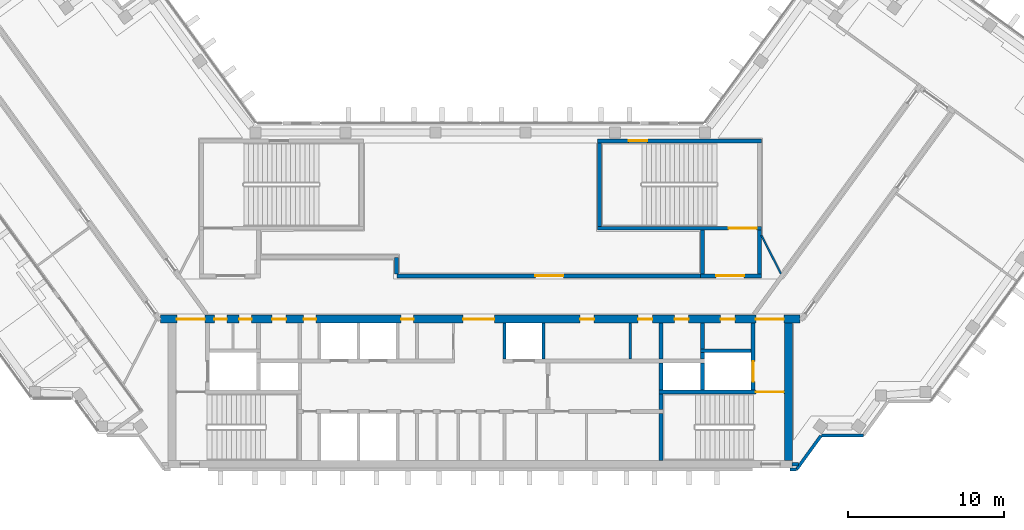
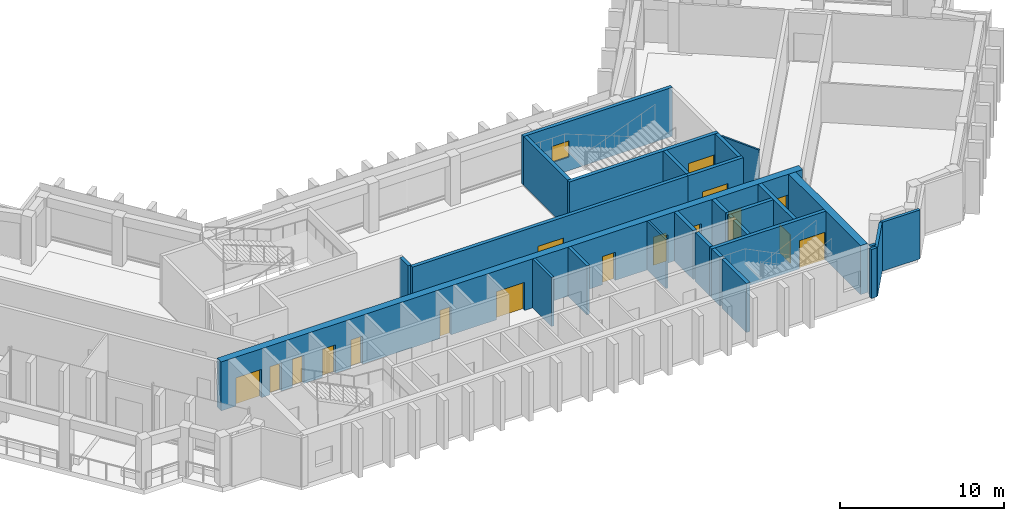
# One storey, part 7 of 10: 28 walls, 17 doors, 1 window, 18 openings.
"""IFC4 building model written with IfcOpenShell, lengths in metres."""

from ifc_helpers import new_model, si_unit, direction, frame, frame_2d, origin, place, context, subcontext, project, spatial, rectangle, extrude, material, layer, layer_set, type_object, element, fill, save


model = new_model("IFC4")

# Units and contexts
model_context = context("Model", 3, precision=1e-05, world=origin(), true_north=direction((0.0, 1.0)))
body_context = subcontext(model_context, "Body", "Model", "MODEL_VIEW")
ifc_project = project(units=[si_unit("LENGTHUNIT", "METRE"), si_unit("AREAUNIT", "SQUARE_METRE"), si_unit("VOLUMEUNIT", "CUBIC_METRE"), si_unit("PLANEANGLEUNIT", "RADIAN"), si_unit("MASSUNIT", "GRAM", prefix="KILO")], contexts=[model_context])

# Site, building, storey
site_placement = place(None, origin())
site = spatial("IfcSite", under=ifc_project, at=site_placement, CompositionType="ELEMENT")
building_placement = place(site_placement, origin())
building = spatial("IfcBuilding", under=site, at=building_placement, Name="Quipu Civic Tower", CompositionType="ELEMENT")
storey_placement = place(building_placement, frame((0.0, 0.0, 265.0)))
storey = spatial("IfcBuildingStorey", under=building, at=storey_placement, Name="L62", CompositionType="ELEMENT", Elevation=265.0)

# Walls
ifc_material_1 = material(Name="Concrete C70/85", Category="concrete")
ifc_layer_1 = layer(ifc_material_1, 0.25)
ifc_layer_set_1 = layer_set([ifc_layer_1], Name="Concrete C70/85")
wall_type_1 = type_object("IfcWallType", Name="Core wall 250", PredefinedType="SHEAR", material=ifc_layer_set_1)
wall_1_placement = place(storey_placement, frame((11.574951171875, -10.5, 0.0), z_axis=(0.0, 0.0, 1.0), x_axis=(0.0, 1.0, 0.0)))
element("IfcWall", 1, at=wall_1_placement, inside=storey, type_object=wall_type_1, Name="Core wall", PredefinedType="SHEAR", context=body_context, shape_type="SweptSolid", body=[
    extrude(rectangle(XDim=3.0, YDim=0.25, at=frame_2d((1.5, 0.0))), origin(), (0.0, 0.0, 1.0), 3.64990234375),
])
wall_2_placement = place(storey_placement, frame((11.574951171875, -7.25, 0.0), z_axis=(0.0, 0.0, 1.0), x_axis=(0.0, 1.0, 0.0)))
element("IfcWall", 2, at=wall_2_placement, inside=storey, type_object=wall_type_1, Name="Core wall", PredefinedType="SHEAR", context=body_context, shape_type="SweptSolid", body=[
    extrude(rectangle(XDim=1.0, YDim=0.25, at=frame_2d((0.5, 0.0))), origin(), (0.0, 0.0, 1.0), 3.64990234375),
])

# Wall, opening, door
wall_3_placement = place(storey_placement, frame((19.5, -6.125, 0.0), z_axis=(0.0, 0.0, 1.0), x_axis=(-1.0, 0.0, 0.0)))
wall_3 = element("IfcWall", 3, at=wall_3_placement, inside=storey, type_object=wall_type_1, Name="Core wall", PredefinedType="SHEAR", context=body_context, shape_type="SweptSolid", body=[
    extrude(rectangle(XDim=8.050048828125, YDim=0.25, at=frame_2d((4.02490234375, 0.0))), origin(), (0.0, 0.0, 1.0), 3.64990234375),
])
opening_1_placement = place(wall_3_placement, frame((0.050048828125, 0.0, 0.0)))
opening_1 = element("IfcOpeningElement", 4, at=opening_1_placement, cuts=wall_3, Name="Opening CD-11", PredefinedType="OPENING", context=body_context, shape_type="SweptSolid", body=[
    extrude(rectangle(XDim=1.800048828125, YDim=2.10009765625, at=frame_2d((0.89990234375, 1.050048828125))), frame((0.0, 0.135009765625, 0.0), z_axis=(0.0, -1.0, 0.0), x_axis=(1.0, 0.0, 0.0)), (0.0, 0.0, 1.0), 0.27001953125),
])
ifc_material_2 = material(Name="Fire rated steel door", Category="steel")
door_type_1 = type_object("IfcDoorType", Name="Fire door FD90 double 1800 x 2100", OperationType="NOTDEFINED", PredefinedType="DOOR", material=ifc_material_2)
door_1_placement = place(opening_1_placement, origin())
door_1 = element("IfcDoor", 5, at=door_1_placement, inside=storey, type_object=door_type_1, Name="Door", OperationType="DOUBLE_DOOR_SINGLE_SWING", OverallHeight=2.10009765625, OverallWidth=1.800048828125, PredefinedType="DOOR", context=body_context, shape_type="SweptSolid", body=[
    extrude(rectangle(XDim=1.800048828125, YDim=2.10009765625, at=frame_2d((0.89990234375, 1.050048828125))), frame((0.0, 0.02490234375, 0.0), z_axis=(0.0, -1.0, 0.0), x_axis=(1.0, 0.0, 0.0)), (0.0, 0.0, 1.0), 0.050048828125),
])
fill(opening_1, door_1)

# Walls
for number, where, z_axis, x_axis, name in (
    (6, (11.574951171875, -6.0, 0.0), (0.0, 0.0, 1.0), (0.0, 1.0, 0.0), "Core wall"),
    (7, (14.22509765625, -6.0, 0.0), (0.0, 0.0, 1.0), (0.0, 1.0, 0.0), "Core wall"),
):
    element("IfcWall", number, at=place(storey_placement, frame(where, z_axis=z_axis, x_axis=x_axis)), inside=storey, type_object=wall_type_1, Name=name, PredefinedType="SHEAR", context=body_context, shape_type="SweptSolid", body=[
        extrude(rectangle(XDim=1.75, YDim=0.25, at=frame_2d((0.875, 0.0))), origin(), (0.0, 0.0, 1.0), 3.64990234375),
    ])

# Wall, opening, door
wall_4_placement = place(storey_placement, frame((17.47509765625, -6.0, 0.0), z_axis=(0.0, 0.0, 1.0), x_axis=(0.0, 1.0, 0.0)))
wall_4 = element("IfcWall", 8, at=wall_4_placement, inside=storey, type_object=wall_type_1, Name="Core wall", PredefinedType="SHEAR", context=body_context, shape_type="SweptSolid", body=[
    extrude(rectangle(XDim=4.300048828125, YDim=0.25, at=frame_2d((2.14990234375, 0.0))), origin(), (0.0, 0.0, 1.0), 3.64990234375),
])
opening_2_placement = place(wall_4_placement, frame((0.550048828125, 0.0, 0.0)))
opening_2 = element("IfcOpeningElement", 9, at=opening_2_placement, cuts=wall_4, Name="Opening LD-FF2", PredefinedType="OPENING", context=body_context, shape_type="SweptSolid", body=[
    extrude(rectangle(XDim=1.300048828125, YDim=2.10009765625, at=frame_2d((0.64990234375, 1.050048828125))), frame((0.0, 0.135009765625, 0.0), z_axis=(0.0, -1.0, 0.0), x_axis=(1.0, 0.0, 0.0)), (0.0, 0.0, 1.0), 0.27001953125),
])
ifc_material_3 = material(Name="Stainless steel", Category="steel")
door_type_2 = type_object("IfcDoorType", Name="Lift landing door 1300 x 2100", OperationType="DOUBLE_DOOR_SLIDING", PredefinedType="DOOR", material=ifc_material_3)
door_2_placement = place(opening_2_placement, origin())
door_2 = element("IfcDoor", 10, at=door_2_placement, inside=storey, type_object=door_type_2, Name="Landing door FF2", OperationType="DOUBLE_DOOR_SLIDING", OverallHeight=2.10009765625, OverallWidth=1.300048828125, PredefinedType="DOOR", context=body_context, shape_type="SweptSolid", body=[
    extrude(rectangle(XDim=1.300048828125, YDim=2.10009765625, at=frame_2d((0.64990234375, 1.050048828125))), frame((0.0, 0.02490234375, 0.0), z_axis=(0.0, -1.0, 0.0), x_axis=(1.0, 0.0, 0.0)), (0.0, 0.0, 1.0), 0.050048828125),
])
fill(opening_2, door_2)

# Walls
wall_5_placement = place(storey_placement, frame((11.574951171875, -4.0, 0.0), z_axis=(0.0, 0.0, 1.0), x_axis=(0.0, 1.0, 0.0)))
element("IfcWall", 11, at=wall_5_placement, inside=storey, type_object=wall_type_1, Name="Core wall", PredefinedType="SHEAR", context=body_context, shape_type="SweptSolid", body=[
    extrude(rectangle(XDim=2.300048828125, YDim=0.25, at=frame_2d((1.14990234375, 0.0))), origin(), (0.0, 0.0, 1.0), 3.64990234375),
])
wall_6_placement = place(storey_placement, frame((14.22509765625, -4.0, 0.0), z_axis=(0.0, 0.0, 1.0), x_axis=(0.0, 1.0, 0.0)))
element("IfcWall", 12, at=wall_6_placement, inside=storey, type_object=wall_type_1, Name="Core wall", PredefinedType="SHEAR", context=body_context, shape_type="SweptSolid", body=[
    extrude(rectangle(XDim=0.39990234375, YDim=0.25, at=frame_2d((0.199951171875, 0.0))), origin(), (0.0, 0.0, 1.0), 3.64990234375),
])
wall_7_placement = place(storey_placement, frame((14.10009765625, -3.47509765625, 0.0), z_axis=(0.0, 0.0, 1.0), x_axis=(1.0, 0.0, 0.0)))
element("IfcWall", 13, at=wall_7_placement, inside=storey, type_object=wall_type_1, Name="Core wall", PredefinedType="SHEAR", context=body_context, shape_type="SweptSolid", body=[
    extrude(rectangle(XDim=3.25, YDim=0.25, at=frame_2d((1.625, 0.0))), origin(), (0.0, 0.0, 1.0), 3.64990234375),
])
wall_8_placement = place(storey_placement, frame((14.22509765625, -3.35009765625, 0.0), z_axis=(0.0, 0.0, 1.0), x_axis=(0.0, 1.0, 0.0)))
element("IfcWall", 14, at=wall_8_placement, inside=storey, type_object=wall_type_1, Name="Core wall", PredefinedType="SHEAR", context=body_context, shape_type="SweptSolid", body=[
    extrude(rectangle(XDim=1.650146484375, YDim=0.25, at=frame_2d((0.8251953125, 0.0))), origin(), (0.0, 0.0, 1.0), 3.64990234375),
])

# Wall, opening, door
wall_9_placement = place(storey_placement, frame((14.10009765625, 1.324951171875, 0.0), z_axis=(0.0, 0.0, 1.0), x_axis=(1.0, 0.0, 0.0)))
wall_9 = element("IfcWall", 15, at=wall_9_placement, inside=storey, type_object=wall_type_1, Name="Core wall", PredefinedType="SHEAR", context=body_context, shape_type="SweptSolid", body=[
    extrude(rectangle(XDim=3.89990234375, YDim=0.25, at=frame_2d((1.949951171875, 0.0))), origin(), (0.0, 0.0, 1.0), 3.64990234375),
])
opening_3_placement = place(wall_9_placement, frame((1.0, 0.0, 0.0)))
opening_3 = element("IfcOpeningElement", 16, at=opening_3_placement, cuts=wall_9, Name="Opening CD-28", PredefinedType="OPENING", context=body_context, shape_type="SweptSolid", body=[
    extrude(rectangle(XDim=1.800048828125, YDim=2.10009765625, at=frame_2d((0.89990234375, 1.050048828125))), frame((0.0, 0.135009765625, 0.0), z_axis=(0.0, -1.0, 0.0), x_axis=(1.0, 0.0, 0.0)), (0.0, 0.0, 1.0), 0.27001953125),
])
door_3_placement = place(opening_3_placement, origin())
door_3 = element("IfcDoor", 17, at=door_3_placement, inside=storey, type_object=door_type_1, Name="Lobby door", OperationType="DOUBLE_DOOR_SINGLE_SWING", OverallHeight=2.10009765625, OverallWidth=1.800048828125, PredefinedType="DOOR", context=body_context, shape_type="SweptSolid", body=[
    extrude(rectangle(XDim=1.800048828125, YDim=2.10009765625, at=frame_2d((0.89990234375, 1.050048828125))), frame((0.0, 0.02490234375, 0.0), z_axis=(0.0, -1.0, 0.0), x_axis=(1.0, 0.0, 0.0)), (0.0, 0.0, 1.0), 0.050048828125),
])
fill(opening_3, door_3)

# Walls
for number, where, z_axis, x_axis, name in (
    (18, (14.22509765625, 1.449951171875, 0.0), (0.0, 0.0, 1.0), (0.0, 1.0, 0.0), "Core wall"),
    (19, (17.875, 1.449951171875, 0.0), (0.0, 0.0, 1.0), (0.0, 1.0, 0.0), "Core wall"),
):
    element("IfcWall", number, at=place(storey_placement, frame(where, z_axis=z_axis, x_axis=x_axis)), inside=storey, type_object=wall_type_1, Name=name, PredefinedType="SHEAR", context=body_context, shape_type="SweptSolid", body=[
        extrude(rectangle(XDim=2.800048828125, YDim=0.25, at=frame_2d((1.39990234375, 0.0))), origin(), (0.0, 0.0, 1.0), 3.64990234375),
    ])

# Wall, opening, door
wall_10_placement = place(storey_placement, frame((7.5, 4.375, 0.0), z_axis=(0.0, 0.0, 1.0), x_axis=(1.0, 0.0, 0.0)))
wall_10 = element("IfcWall", 20, at=wall_10_placement, inside=storey, type_object=wall_type_1, Name="Core wall", PredefinedType="SHEAR", context=body_context, shape_type="SweptSolid", body=[
    extrude(rectangle(XDim=10.5, YDim=0.25, at=frame_2d((5.25, 0.0))), origin(), (0.0, 0.0, 1.0), 3.64990234375),
])
opening_4_placement = place(wall_10_placement, frame((8.39990234375, 0.0, 0.0)))
opening_4 = element("IfcOpeningElement", 21, at=opening_4_placement, cuts=wall_10, Name="Opening CD-29", PredefinedType="OPENING", context=body_context, shape_type="SweptSolid", body=[
    extrude(rectangle(XDim=1.800048828125, YDim=2.10009765625, at=frame_2d((0.89990234375, 1.050048828125))), frame((0.0, 0.135009765625, 0.0), z_axis=(0.0, -1.0, 0.0), x_axis=(1.0, 0.0, 0.0)), (0.0, 0.0, 1.0), 0.27001953125),
])
door_4_placement = place(opening_4_placement, origin())
door_4 = element("IfcDoor", 22, at=door_4_placement, inside=storey, type_object=door_type_1, Name="Door", OperationType="DOUBLE_DOOR_SINGLE_SWING", OverallHeight=2.10009765625, OverallWidth=1.800048828125, PredefinedType="DOOR", context=body_context, shape_type="SweptSolid", body=[
    extrude(rectangle(XDim=1.800048828125, YDim=2.10009765625, at=frame_2d((0.89990234375, 1.050048828125))), frame((0.0, 0.02490234375, 0.0), z_axis=(0.0, -1.0, 0.0), x_axis=(1.0, 0.0, 0.0)), (0.0, 0.0, 1.0), 0.050048828125),
])
fill(opening_4, door_4)

# Wall
wall_11_placement = place(storey_placement, frame((7.625, 4.5, 0.0), z_axis=(0.0, 0.0, 1.0), x_axis=(0.0, 1.0, 0.0)))
element("IfcWall", 23, at=wall_11_placement, inside=storey, type_object=wall_type_1, Name="Core wall", PredefinedType="SHEAR", context=body_context, shape_type="SweptSolid", body=[
    extrude(rectangle(XDim=5.35009765625, YDim=0.25, at=frame_2d((2.675048828125, 0.0))), origin(), (0.0, 0.0, 1.0), 3.64990234375),
])

# Wall, opening, window
wall_12_placement = place(storey_placement, frame((7.5, 9.97509765625, 0.0), z_axis=(0.0, 0.0, 1.0), x_axis=(1.0, 0.0, 0.0)))
wall_12 = element("IfcWall", 24, at=wall_12_placement, inside=storey, type_object=wall_type_1, Name="Core wall", PredefinedType="SHEAR", context=body_context, shape_type="SweptSolid", body=[
    extrude(rectangle(XDim=10.5, YDim=0.25, at=frame_2d((5.25, 0.0))), origin(), (0.0, 0.0, 1.0), 3.64990234375),
])
opening_5_placement = place(wall_12_placement, frame((2.0, 0.0, 1.0)))
opening_5 = element("IfcOpeningElement", 25, at=opening_5_placement, cuts=wall_12, Name="Opening SV-4", PredefinedType="OPENING", context=body_context, shape_type="SweptSolid", body=[
    extrude(rectangle(XDim=1.199951171875, YDim=1.199951171875, at=frame_2d((0.60009765625, 0.60009765625))), frame((0.0, 0.135009765625, 0.0), z_axis=(0.0, -1.0, 0.0), x_axis=(1.0, 0.0, 0.0)), (0.0, 0.0, 1.0), 0.27001953125),
])
ifc_material_4 = material(Name="Aluminium louvre", Category="aluminium")
window_type = type_object("IfcWindowType", Name="Stair ventilation louvre 1200 x 1200", PartitioningType="SINGLE_PANEL", PredefinedType="WINDOW", material=ifc_material_4)
window_placement = place(opening_5_placement, origin())
window = element("IfcWindow", 26, at=window_placement, inside=storey, type_object=window_type, Name="Stair ventilation opening", OverallHeight=1.199951171875, OverallWidth=1.199951171875, PartitioningType="SINGLE_PANEL", PredefinedType="WINDOW", context=body_context, shape_type="SweptSolid", body=[
    extrude(rectangle(XDim=1.199951171875, YDim=1.199951171875, at=frame_2d((0.60009765625, 0.60009765625))), frame((0.0, 0.030029296875, 0.0), z_axis=(0.0, -1.0, 0.0), x_axis=(1.0, 0.0, 0.0)), (0.0, 0.0, 1.0), 0.06005859375),
])
fill(opening_5, window)

# Wall
ifc_material_5 = material(Name="Concrete C70/85", Category="concrete")
ifc_layer_2 = layer(ifc_material_5, 0.5)
ifc_layer_set_2 = layer_set([ifc_layer_2], Name="Concrete C70/85")
wall_type_2 = type_object("IfcWallType", Name="Core wall 500", PredefinedType="SHEAR", material=ifc_layer_set_2)
wall_13_placement = place(storey_placement, frame((19.75, -10.5, 0.0), z_axis=(0.0, 0.0, 1.0), x_axis=(0.0, 1.0, 0.0)))
element("IfcWall", 27, at=wall_13_placement, inside=storey, type_object=wall_type_2, Name="Core wall", PredefinedType="SHEAR", context=body_context, shape_type="SweptSolid", body=[
    extrude(rectangle(XDim=8.800048828125, YDim=0.5, at=frame_2d((4.39990234375, 0.0))), origin(), (0.0, 0.0, 1.0), 3.64990234375),
])

# Wall, openings, doors
wall_14_placement = place(storey_placement, frame((20.489990234375, -1.449951171875, 0.0), z_axis=(0.0, 0.0, 1.0), x_axis=(-1.0, 0.0, 0.0)))
wall_14 = element("IfcWall", 28, at=wall_14_placement, inside=storey, type_object=wall_type_2, Name="Core wall", PredefinedType="SHEAR", context=body_context, shape_type="SweptSolid", body=[
    extrude(rectangle(XDim=40.97998046875, YDim=0.5, at=frame_2d((20.489990234375, 0.0))), origin(), (0.0, 0.0, 1.0), 3.64990234375),
])
opening_6_placement = place(wall_14_placement, frame((38.139892578125, 0.0, 0.0)))
opening_6 = element("IfcOpeningElement", 29, at=opening_6_placement, cuts=wall_14, Name="Opening CD-14", PredefinedType="OPENING", context=body_context, shape_type="SweptSolid", body=[
    extrude(rectangle(XDim=1.800048828125, YDim=2.10009765625, at=frame_2d((0.89990234375, 1.050048828125))), frame((0.0, 0.260009765625, 0.0), z_axis=(0.0, -1.0, 0.0), x_axis=(1.0, 0.0, 0.0)), (0.0, 0.0, 1.0), 0.52001953125),
])
opening_7_placement = place(wall_14_placement, frame((36.7275390625, 0.0, 0.0)))
opening_7 = element("IfcOpeningElement", 30, at=opening_7_placement, cuts=wall_14, Name="Opening CD-15", PredefinedType="OPENING", context=body_context, shape_type="SweptSolid", body=[
    extrude(rectangle(XDim=0.800048828125, YDim=2.10009765625, at=frame_2d((0.39990234375, 1.050048828125))), frame((0.0, 0.260009765625, 0.0), z_axis=(0.0, -1.0, 0.0), x_axis=(1.0, 0.0, 0.0)), (0.0, 0.0, 1.0), 0.52001953125),
])
opening_8_placement = place(wall_14_placement, frame((35.152587890625, 0.0, 0.0)))
opening_8 = element("IfcOpeningElement", 31, at=opening_8_placement, cuts=wall_14, Name="Opening CD-16", PredefinedType="OPENING", context=body_context, shape_type="SweptSolid", body=[
    extrude(rectangle(XDim=0.800048828125, YDim=2.10009765625, at=frame_2d((0.39990234375, 1.050048828125))), frame((0.0, 0.260009765625, 0.0), z_axis=(0.0, -1.0, 0.0), x_axis=(1.0, 0.0, 0.0)), (0.0, 0.0, 1.0), 0.52001953125),
])
opening_9_placement = place(wall_14_placement, frame((32.93994140625, 0.0, 0.0)))
opening_9 = element("IfcOpeningElement", 32, at=opening_9_placement, cuts=wall_14, Name="Opening CD-17", PredefinedType="OPENING", context=body_context, shape_type="SweptSolid", body=[
    extrude(rectangle(XDim=0.89990234375, YDim=2.10009765625, at=frame_2d((0.449951171875, 1.050048828125))), frame((0.0, 0.260009765625, 0.0), z_axis=(0.0, -1.0, 0.0), x_axis=(1.0, 0.0, 0.0)), (0.0, 0.0, 1.0), 0.52001953125),
])
opening_10_placement = place(wall_14_placement, frame((31.014892578125, 0.0, 0.0)))
opening_10 = element("IfcOpeningElement", 33, at=opening_10_placement, cuts=wall_14, Name="Opening CD-18", PredefinedType="OPENING", context=body_context, shape_type="SweptSolid", body=[
    extrude(rectangle(XDim=0.800048828125, YDim=2.10009765625, at=frame_2d((0.39990234375, 1.050048828125))), frame((0.0, 0.260009765625, 0.0), z_axis=(0.0, -1.0, 0.0), x_axis=(1.0, 0.0, 0.0)), (0.0, 0.0, 1.0), 0.52001953125),
])
opening_11_placement = place(wall_14_placement, frame((24.764892578125, 0.0, 0.0)))
opening_11 = element("IfcOpeningElement", 34, at=opening_11_placement, cuts=wall_14, Name="Opening CD-19", PredefinedType="OPENING", context=body_context, shape_type="SweptSolid", body=[
    extrude(rectangle(XDim=0.800048828125, YDim=2.10009765625, at=frame_2d((0.39990234375, 1.050048828125))), frame((0.0, 0.260009765625, 0.0), z_axis=(0.0, -1.0, 0.0), x_axis=(1.0, 0.0, 0.0)), (0.0, 0.0, 1.0), 0.52001953125),
])
opening_12_placement = place(wall_14_placement, frame((19.590087890625, 0.0, 0.0)))
opening_12 = element("IfcOpeningElement", 35, at=opening_12_placement, cuts=wall_14, Name="Opening CD-20", PredefinedType="OPENING", context=body_context, shape_type="SweptSolid", body=[
    extrude(rectangle(XDim=2.0, YDim=2.10009765625, at=frame_2d((1.0, 1.050048828125))), frame((0.0, 0.260009765625, 0.0), z_axis=(0.0, -1.0, 0.0), x_axis=(1.0, 0.0, 0.0)), (0.0, 0.0, 1.0), 0.52001953125),
])
opening_13_placement = place(wall_14_placement, frame((13.202392578125, 0.0, 0.0)))
opening_13 = element("IfcOpeningElement", 36, at=opening_13_placement, cuts=wall_14, Name="Opening CD-21", PredefinedType="OPENING", context=body_context, shape_type="SweptSolid", body=[
    extrude(rectangle(XDim=0.89990234375, YDim=2.10009765625, at=frame_2d((0.449951171875, 1.050048828125))), frame((0.0, 0.260009765625, 0.0), z_axis=(0.0, -1.0, 0.0), x_axis=(1.0, 0.0, 0.0)), (0.0, 0.0, 1.0), 0.52001953125),
])
opening_14_placement = place(wall_14_placement, frame((9.4775390625, 0.0, 0.0)))
opening_14 = element("IfcOpeningElement", 37, at=opening_14_placement, cuts=wall_14, Name="Opening CD-22", PredefinedType="OPENING", context=body_context, shape_type="SweptSolid", body=[
    extrude(rectangle(XDim=0.89990234375, YDim=2.10009765625, at=frame_2d((0.449951171875, 1.050048828125))), frame((0.0, 0.260009765625, 0.0), z_axis=(0.0, -1.0, 0.0), x_axis=(1.0, 0.0, 0.0)), (0.0, 0.0, 1.0), 0.52001953125),
])
opening_15_placement = place(wall_14_placement, frame((7.139892578125, 0.0, 0.0)))
opening_15 = element("IfcOpeningElement", 38, at=opening_15_placement, cuts=wall_14, Name="Opening CD-23", PredefinedType="OPENING", context=body_context, shape_type="SweptSolid", body=[
    extrude(rectangle(XDim=0.89990234375, YDim=2.10009765625, at=frame_2d((0.449951171875, 1.050048828125))), frame((0.0, 0.260009765625, 0.0), z_axis=(0.0, -1.0, 0.0), x_axis=(1.0, 0.0, 0.0)), (0.0, 0.0, 1.0), 0.52001953125),
])
opening_16_placement = place(wall_14_placement, frame((4.18994140625, 0.0, 0.0)))
opening_16 = element("IfcOpeningElement", 39, at=opening_16_placement, cuts=wall_14, Name="Opening CD-24", PredefinedType="OPENING", context=body_context, shape_type="SweptSolid", body=[
    extrude(rectangle(XDim=0.89990234375, YDim=2.10009765625, at=frame_2d((0.449951171875, 1.050048828125))), frame((0.0, 0.260009765625, 0.0), z_axis=(0.0, -1.0, 0.0), x_axis=(1.0, 0.0, 0.0)), (0.0, 0.0, 1.0), 0.52001953125),
])
opening_17_placement = place(wall_14_placement, frame((1.0400390625, 0.0, 0.0)))
opening_17 = element("IfcOpeningElement", 40, at=opening_17_placement, cuts=wall_14, Name="Opening CD-25", PredefinedType="OPENING", context=body_context, shape_type="SweptSolid", body=[
    extrude(rectangle(XDim=1.800048828125, YDim=2.10009765625, at=frame_2d((0.89990234375, 1.050048828125))), frame((0.0, 0.260009765625, 0.0), z_axis=(0.0, -1.0, 0.0), x_axis=(1.0, 0.0, 0.0)), (0.0, 0.0, 1.0), 0.52001953125),
])
ifc_material_6 = material(Name="Fire rated steel door", Category="steel")
door_type_3 = type_object("IfcDoorType", Name="Fire door FD60 800 x 2100", OperationType="NOTDEFINED", PredefinedType="DOOR", material=ifc_material_6)
door_5_placement = place(opening_7_placement, origin())
door_5 = element("IfcDoor", 41, at=door_5_placement, inside=storey, type_object=door_type_3, Name="Door", OperationType="SINGLE_SWING_RIGHT", OverallHeight=2.10009765625, OverallWidth=0.800048828125, PredefinedType="DOOR", context=body_context, shape_type="SweptSolid", body=[
    extrude(rectangle(XDim=0.800048828125, YDim=2.10009765625, at=frame_2d((0.39990234375, 1.050048828125))), frame((0.0, 0.02490234375, 0.0), z_axis=(0.0, -1.0, 0.0), x_axis=(1.0, 0.0, 0.0)), (0.0, 0.0, 1.0), 0.050048828125),
])
fill(opening_7, door_5)
door_6_placement = place(opening_8_placement, origin())
door_6 = element("IfcDoor", 42, at=door_6_placement, inside=storey, type_object=door_type_3, Name="Door", OperationType="SINGLE_SWING_RIGHT", OverallHeight=2.10009765625, OverallWidth=0.800048828125, PredefinedType="DOOR", context=body_context, shape_type="SweptSolid", body=[
    extrude(rectangle(XDim=0.800048828125, YDim=2.10009765625, at=frame_2d((0.39990234375, 1.050048828125))), frame((0.0, 0.02490234375, 0.0), z_axis=(0.0, -1.0, 0.0), x_axis=(1.0, 0.0, 0.0)), (0.0, 0.0, 1.0), 0.050048828125),
])
fill(opening_8, door_6)
door_7_placement = place(opening_10_placement, origin())
door_7 = element("IfcDoor", 43, at=door_7_placement, inside=storey, type_object=door_type_3, Name="Door", OperationType="SINGLE_SWING_RIGHT", OverallHeight=2.10009765625, OverallWidth=0.800048828125, PredefinedType="DOOR", context=body_context, shape_type="SweptSolid", body=[
    extrude(rectangle(XDim=0.800048828125, YDim=2.10009765625, at=frame_2d((0.39990234375, 1.050048828125))), frame((0.0, 0.02490234375, 0.0), z_axis=(0.0, -1.0, 0.0), x_axis=(1.0, 0.0, 0.0)), (0.0, 0.0, 1.0), 0.050048828125),
])
fill(opening_10, door_7)
door_8_placement = place(opening_11_placement, origin())
door_8 = element("IfcDoor", 44, at=door_8_placement, inside=storey, type_object=door_type_3, Name="Door", OperationType="SINGLE_SWING_RIGHT", OverallHeight=2.10009765625, OverallWidth=0.800048828125, PredefinedType="DOOR", context=body_context, shape_type="SweptSolid", body=[
    extrude(rectangle(XDim=0.800048828125, YDim=2.10009765625, at=frame_2d((0.39990234375, 1.050048828125))), frame((0.0, 0.02490234375, 0.0), z_axis=(0.0, -1.0, 0.0), x_axis=(1.0, 0.0, 0.0)), (0.0, 0.0, 1.0), 0.050048828125),
])
fill(opening_11, door_8)
ifc_material_7 = material(Name="Fire rated steel door", Category="steel")
door_type_4 = type_object("IfcDoorType", Name="Fire door FD60 900 x 2100", OperationType="NOTDEFINED", PredefinedType="DOOR", material=ifc_material_7)
door_9_placement = place(opening_9_placement, origin())
door_9 = element("IfcDoor", 45, at=door_9_placement, inside=storey, type_object=door_type_4, Name="Riser door", OperationType="SINGLE_SWING_RIGHT", OverallHeight=2.10009765625, OverallWidth=0.89990234375, PredefinedType="DOOR", context=body_context, shape_type="SweptSolid", body=[
    extrude(rectangle(XDim=0.89990234375, YDim=2.10009765625, at=frame_2d((0.449951171875, 1.050048828125))), frame((0.0, 0.02490234375, 0.0), z_axis=(0.0, -1.0, 0.0), x_axis=(1.0, 0.0, 0.0)), (0.0, 0.0, 1.0), 0.050048828125),
])
fill(opening_9, door_9)
door_10_placement = place(opening_13_placement, origin())
door_10 = element("IfcDoor", 46, at=door_10_placement, inside=storey, type_object=door_type_4, Name="Door", OperationType="SINGLE_SWING_LEFT", OverallHeight=2.10009765625, OverallWidth=0.89990234375, PredefinedType="DOOR", context=body_context, shape_type="SweptSolid", body=[
    extrude(rectangle(XDim=0.89990234375, YDim=2.10009765625, at=frame_2d((0.449951171875, 1.050048828125))), frame((0.0, 0.02490234375, 0.0), z_axis=(0.0, -1.0, 0.0), x_axis=(1.0, 0.0, 0.0)), (0.0, 0.0, 1.0), 0.050048828125),
])
fill(opening_13, door_10)
door_11_placement = place(opening_14_placement, origin())
door_11 = element("IfcDoor", 47, at=door_11_placement, inside=storey, type_object=door_type_4, Name="Door", OperationType="SINGLE_SWING_LEFT", OverallHeight=2.10009765625, OverallWidth=0.89990234375, PredefinedType="DOOR", context=body_context, shape_type="SweptSolid", body=[
    extrude(rectangle(XDim=0.89990234375, YDim=2.10009765625, at=frame_2d((0.449951171875, 1.050048828125))), frame((0.0, 0.02490234375, 0.0), z_axis=(0.0, -1.0, 0.0), x_axis=(1.0, 0.0, 0.0)), (0.0, 0.0, 1.0), 0.050048828125),
])
fill(opening_14, door_11)
door_12_placement = place(opening_15_placement, origin())
door_12 = element("IfcDoor", 48, at=door_12_placement, inside=storey, type_object=door_type_4, Name="Riser door", OperationType="SINGLE_SWING_LEFT", OverallHeight=2.10009765625, OverallWidth=0.89990234375, PredefinedType="DOOR", context=body_context, shape_type="SweptSolid", body=[
    extrude(rectangle(XDim=0.89990234375, YDim=2.10009765625, at=frame_2d((0.449951171875, 1.050048828125))), frame((0.0, 0.02490234375, 0.0), z_axis=(0.0, -1.0, 0.0), x_axis=(1.0, 0.0, 0.0)), (0.0, 0.0, 1.0), 0.050048828125),
])
fill(opening_15, door_12)
door_13_placement = place(opening_16_placement, origin())
door_13 = element("IfcDoor", 49, at=door_13_placement, inside=storey, type_object=door_type_4, Name="Door", OperationType="SINGLE_SWING_LEFT", OverallHeight=2.10009765625, OverallWidth=0.89990234375, PredefinedType="DOOR", context=body_context, shape_type="SweptSolid", body=[
    extrude(rectangle(XDim=0.89990234375, YDim=2.10009765625, at=frame_2d((0.449951171875, 1.050048828125))), frame((0.0, 0.02490234375, 0.0), z_axis=(0.0, -1.0, 0.0), x_axis=(1.0, 0.0, 0.0)), (0.0, 0.0, 1.0), 0.050048828125),
])
fill(opening_16, door_13)
door_14_placement = place(opening_6_placement, origin())
door_14 = element("IfcDoor", 50, at=door_14_placement, inside=storey, type_object=door_type_1, Name="Lobby door", OperationType="DOUBLE_DOOR_SINGLE_SWING", OverallHeight=2.10009765625, OverallWidth=1.800048828125, PredefinedType="DOOR", context=body_context, shape_type="SweptSolid", body=[
    extrude(rectangle(XDim=1.800048828125, YDim=2.10009765625, at=frame_2d((0.89990234375, 1.050048828125))), frame((0.0, 0.02490234375, 0.0), z_axis=(0.0, -1.0, 0.0), x_axis=(1.0, 0.0, 0.0)), (0.0, 0.0, 1.0), 0.050048828125),
])
fill(opening_6, door_14)
door_15_placement = place(opening_17_placement, origin())
door_15 = element("IfcDoor", 51, at=door_15_placement, inside=storey, type_object=door_type_1, Name="Lobby door", OperationType="DOUBLE_DOOR_SINGLE_SWING", OverallHeight=2.10009765625, OverallWidth=1.800048828125, PredefinedType="DOOR", context=body_context, shape_type="SweptSolid", body=[
    extrude(rectangle(XDim=1.800048828125, YDim=2.10009765625, at=frame_2d((0.89990234375, 1.050048828125))), frame((0.0, 0.02490234375, 0.0), z_axis=(0.0, -1.0, 0.0), x_axis=(1.0, 0.0, 0.0)), (0.0, 0.0, 1.0), 0.050048828125),
])
fill(opening_17, door_15)
ifc_material_8 = material(Name="Fire rated steel door", Category="steel")
door_type_5 = type_object("IfcDoorType", Name="Fire door FD90 double 2000 x 2100", OperationType="NOTDEFINED", PredefinedType="DOOR", material=ifc_material_8)
door_16_placement = place(opening_12_placement, origin())
door_16 = element("IfcDoor", 52, at=door_16_placement, inside=storey, type_object=door_type_5, Name="Lobby door", OperationType="DOUBLE_DOOR_SINGLE_SWING", OverallHeight=2.10009765625, OverallWidth=2.0, PredefinedType="DOOR", context=body_context, shape_type="SweptSolid", body=[
    extrude(rectangle(XDim=2.0, YDim=2.10009765625, at=frame_2d((1.0, 1.050048828125))), frame((0.0, 0.02490234375, 0.0), z_axis=(0.0, -1.0, 0.0), x_axis=(1.0, 0.0, 0.0)), (0.0, 0.0, 1.0), 0.050048828125),
])
fill(opening_12, door_16)

# Wall, opening, door
ifc_material_9 = material(Name="Concrete C50/60", Category="concrete")
ifc_layer_3 = layer(ifc_material_9, 0.25)
ifc_layer_set_3 = layer_set([ifc_layer_3], Name="Concrete C50/60")
wall_type_3 = type_object("IfcWallType", Name="Corridor wall 250 concrete", PredefinedType="SOLIDWALL", material=ifc_layer_set_3)
wall_15_placement = place(storey_placement, frame((-5.34130859375, 1.324951171875, 0.0), z_axis=(0.0, 0.0, 1.0), x_axis=(1.0, 0.0, 0.0)))
wall_15 = element("IfcWall", 53, at=wall_15_placement, inside=storey, type_object=wall_type_3, Name="Corridor wall C01", PredefinedType="SOLIDWALL", context=body_context, shape_type="SweptSolid", body=[
    extrude(rectangle(XDim=19.431396484375, YDim=0.25, at=frame_2d((9.7158203125, 0.0))), origin(), (0.0, 0.0, 1.0), 3.64990234375),
])
opening_18_placement = place(wall_15_placement, frame((8.8662109375, 0.0, 0.0)))
opening_18 = element("IfcOpeningElement", 54, at=opening_18_placement, cuts=wall_15, Name="Opening D005", PredefinedType="OPENING", context=body_context, shape_type="SweptSolid", body=[
    extrude(rectangle(XDim=1.800048828125, YDim=2.10009765625, at=frame_2d((0.89990234375, 1.050048828125))), frame((0.0, 0.135009765625, 0.0), z_axis=(0.0, -1.0, 0.0), x_axis=(1.0, 0.0, 0.0)), (0.0, 0.0, 1.0), 0.27001953125),
])
ifc_material_10 = material(Name="Fire rated timber door set with metal frame", Category="wood")
door_type_6 = type_object("IfcDoorType", Name="Double door 1800 x 2100 FD60", OperationType="DOUBLE_DOOR_SINGLE_SWING", PredefinedType="DOOR", material=ifc_material_10)
door_17_placement = place(opening_18_placement, origin())
door_17 = element("IfcDoor", 55, at=door_17_placement, inside=storey, type_object=door_type_6, Name="Door D005", OperationType="DOUBLE_DOOR_SINGLE_SWING", OverallHeight=2.10009765625, OverallWidth=1.800048828125, PredefinedType="DOOR", context=body_context, shape_type="SweptSolid", body=[
    extrude(rectangle(XDim=1.800048828125, YDim=2.10009765625, at=frame_2d((0.89990234375, 1.050048828125))), frame((0.0, 0.02490234375, 0.0), z_axis=(0.0, -1.0, 0.0), x_axis=(1.0, 0.0, 0.0)), (0.0, 0.0, 1.0), 0.050048828125),
])
fill(opening_18, door_17)

# Walls
wall_16_placement = place(storey_placement, frame((-5.375, 2.483642578125, 0.0), z_axis=(0.0, 0.0, 1.0), x_axis=(0.0, -1.0, 0.0)))
element("IfcWall", 56, at=wall_16_placement, inside=storey, type_object=wall_type_3, Name="Corridor wall C08", PredefinedType="SOLIDWALL", context=body_context, shape_type="SweptSolid", body=[
    extrude(rectangle(XDim=1.030029296875, YDim=0.25, at=frame_2d((0.51513671875, 0.0))), origin(), (0.0, 0.0, 1.0), 3.64990234375),
])
ifc_material_11 = material(Name="Gypsum plasterboard on light gauge framing")
ifc_layer_4 = layer(ifc_material_11, 0.1201171875)
ifc_layer_set_4 = layer_set([ifc_layer_4], Name="Gypsum plasterboard on light gauge framing")
wall_type_4 = type_object("IfcWallType", Name="Partition 120 plasterboard", PredefinedType="PARTITIONING", material=ifc_layer_set_4)
wall_17_placement = place(storey_placement, frame((18.0, 3.925048828125, 0.0), z_axis=(0.0, 0.0, 1.0), x_axis=(0.453950796792, -0.891026752736, 0.0)))
element("IfcWall", 57, at=wall_17_placement, inside=storey, type_object=wall_type_4, Name="Partition P05", PredefinedType="PARTITIONING", context=body_context, shape_type="SweptSolid", body=[
    extrude(rectangle(XDim=2.77783203125, YDim=0.1201171875, at=frame_2d((1.388916015625, 0.0))), origin(), (0.0, 0.0, 1.0), 3.64990234375),
])
ifc_material_12 = material(Name="Gypsum board partition")
ifc_layer_5 = layer(ifc_material_12, 0.14990234375)
ifc_layer_set_5 = layer_set([ifc_layer_5], Name="Gypsum board partition")
wall_type_5 = type_object("IfcWallType", Name="Partition 150", PredefinedType="PARTITIONING", material=ifc_layer_set_5)
wall_18_placement = place(storey_placement, frame((9.60009765625, -4.0, 0.0), z_axis=(0.0, 0.0, 1.0), x_axis=(0.0, 1.0, 0.0)))
element("IfcWall", 58, at=wall_18_placement, inside=storey, type_object=wall_type_5, Name="Partition", PredefinedType="PARTITIONING", context=body_context, shape_type="SweptSolid", body=[
    extrude(rectangle(XDim=2.300048828125, YDim=0.14990234375, at=frame_2d((1.14990234375, 0.0))), origin(), (0.0, 0.0, 1.0), 3.64990234375),
])
ifc_material_13 = material(Name="Precast concrete C40/50", Category="concrete")
wall_type_6 = type_object("IfcWallType", Name="Precast cladding wall", PredefinedType="SOLIDWALL", material=ifc_material_13)
wall_19_placement = place(storey_placement, frame((19.85009765625, -11.087890625, 0.0), z_axis=(0.0, 0.0, 1.0), x_axis=(1.0, 0.0, 0.0)))
element("IfcWall", 59, at=wall_19_placement, inside=storey, type_object=wall_type_6, Name="Precast cladding wall L62 11", PredefinedType="SOLIDWALL", context=body_context, shape_type="SweptSolid", body=[
    extrude(rectangle(XDim=0.40576171875, YDim=0.199951171875, at=frame_2d((0.202880859375, 0.0))), origin(), (0.0, 0.0, 1.0), 3.64990234375),
])
wall_20_placement = place(storey_placement, frame((20.253173828125, -11.083251953125, 0.0), z_axis=(0.0, 0.0, 1.0), x_axis=(0.587766567315, 0.809030569476, 0.0)))
element("IfcWall", 60, at=wall_20_placement, inside=storey, type_object=wall_type_6, Name="Precast cladding wall L62 12", PredefinedType="SOLIDWALL", context=body_context, shape_type="SweptSolid", body=[
    extrude(rectangle(XDim=2.687744140625, YDim=0.199951171875, at=frame_2d((1.34375, 0.0))), origin(), (0.0, 0.0, 1.0), 3.64990234375),
])
wall_21_placement = place(storey_placement, frame((21.8427734375, -8.90380859375, 0.0), z_axis=(0.0, 0.0, 1.0), x_axis=(1.0, 0.0, 0.0)))
element("IfcWall", 61, at=wall_21_placement, inside=storey, type_object=wall_type_6, Name="Precast cladding wall L62 13", PredefinedType="SOLIDWALL", context=body_context, shape_type="SweptSolid", body=[
    extrude(rectangle(XDim=2.699951171875, YDim=0.199951171875, at=frame_2d((1.35009765625, 0.0))), origin(), (0.0, 0.0, 1.0), 3.64990234375),
])
wall_22_placement = place(storey_placement, frame((19.97998046875, -10.75, 0.0), z_axis=(0.0, 0.0, 1.0), x_axis=(1.0, 0.0, 0.0)))
element("IfcWall", 62, at=wall_22_placement, inside=storey, type_object=wall_type_6, Name="Precast cladding return L62 E", PredefinedType="SOLIDWALL", context=body_context, shape_type="SweptSolid", body=[
    extrude(rectangle(XDim=0.41650390625, YDim=0.199951171875, at=frame_2d((0.208251953125, 0.0))), origin(), (0.0, 0.0, 1.0), 3.64990234375),
])
ifc_material_14 = material(Name="Concrete C40/50", Category="concrete")
ifc_layer_6 = layer(ifc_material_14, 0.199951171875)
ifc_layer_set_6 = layer_set([ifc_layer_6], Name="Concrete C40/50")
wall_type_7 = type_object("IfcWallType", Name="Shaft wall 200", PredefinedType="SOLIDWALL", material=ifc_layer_set_6)
for number, where, z_axis, x_axis, name in (
    (63, (1.550048828125, -4.0, 0.0), (0.0, 0.0, 1.0), (0.0, 1.0, 0.0), "Shaft wall"),
    (64, (4.050048828125, -4.0, 0.0), (0.0, 0.0, 1.0), (0.0, 1.0, 0.0), "Shaft wall"),
):
    element("IfcWall", number, at=place(storey_placement, frame(where, z_axis=z_axis, x_axis=x_axis)), inside=storey, type_object=wall_type_7, Name=name, PredefinedType="SOLIDWALL", context=body_context, shape_type="SweptSolid", body=[
        extrude(rectangle(XDim=2.300048828125, YDim=0.199951171875, at=frame_2d((1.14990234375, 0.0))), origin(), (0.0, 0.0, 1.0), 3.64990234375),
    ])

save(model, "model.ifc")
